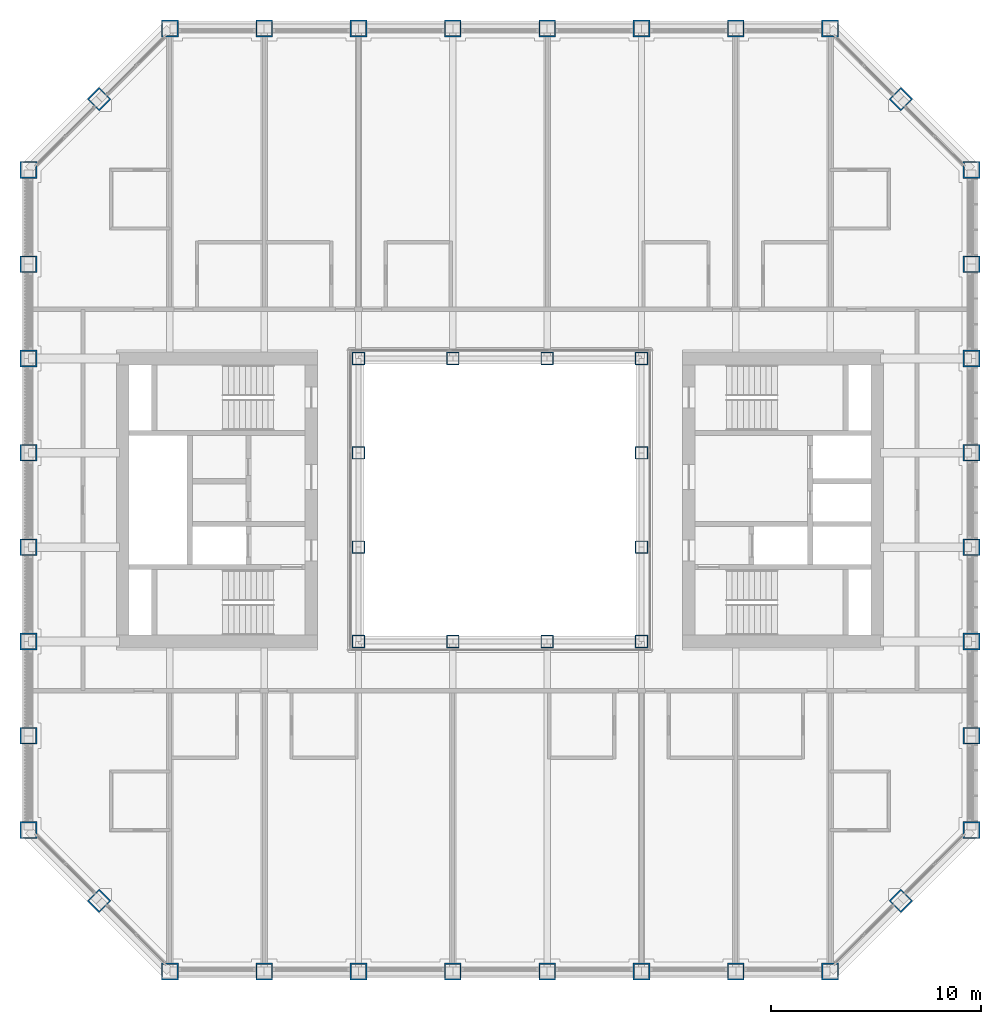
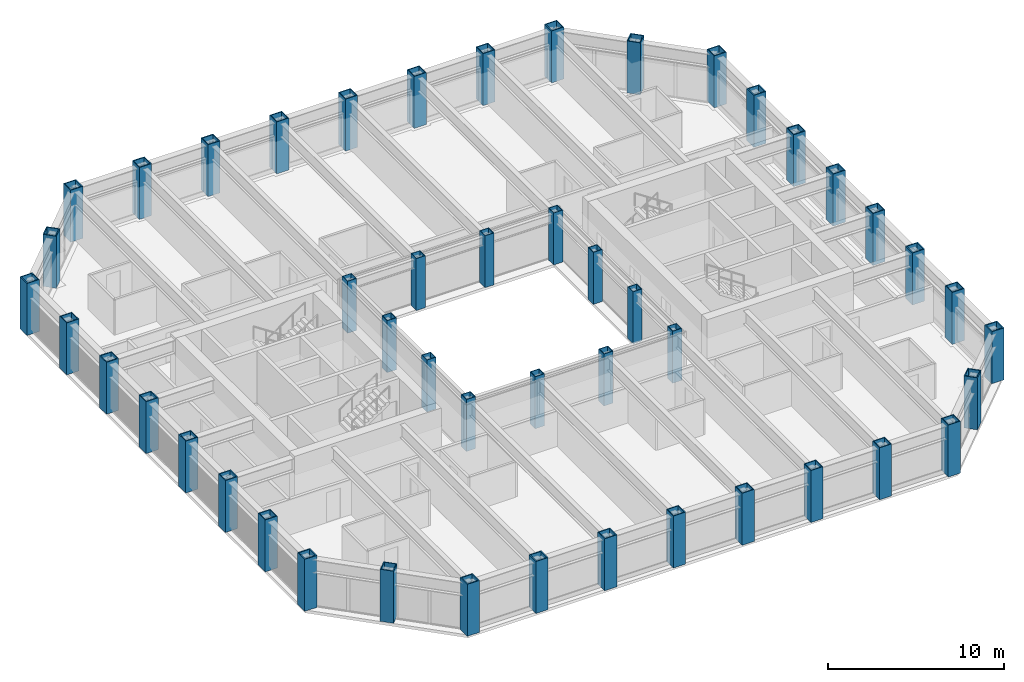
# One storey, part 1 of 17: 48 columns.
"""IFC4 building model written with IfcOpenShell, lengths in metres."""

from ifc_helpers import new_model, si_unit, direction, frame, origin, origin_2d, place, context, subcontext, project, spatial, hollow_rectangle, extrude, material, material_profile, profile_set, type_object, element, save


model = new_model("IFC4")

# Units and contexts
model_context = context("Model", 3, precision=1e-05, world=origin(), true_north=direction((0.0, 1.0)))
body_context = subcontext(model_context, "Body", "Model", "MODEL_VIEW")
ifc_project = project(units=[si_unit("LENGTHUNIT", "METRE"), si_unit("AREAUNIT", "SQUARE_METRE"), si_unit("VOLUMEUNIT", "CUBIC_METRE"), si_unit("PLANEANGLEUNIT", "RADIAN"), si_unit("MASSUNIT", "GRAM", prefix="KILO")], contexts=[model_context])

# Site, building, storey
site_placement = place(None, origin())
site = spatial("IfcSite", under=ifc_project, at=site_placement, CompositionType="ELEMENT")
building_placement = place(site_placement, origin())
building = spatial("IfcBuilding", under=site, at=building_placement, Name="Msasa Ring Tower", CompositionType="ELEMENT")
storey_placement = place(building_placement, frame((0.0, 0.0, 129.199951171875)))
storey = spatial("IfcBuildingStorey", under=building, at=storey_placement, Name="L33", CompositionType="ELEMENT", Elevation=129.199951171875)

# Columns
ifc_material_1 = material(Name="Steel S355", Category="steel")
ifc_material_profile_1 = material_profile(ifc_material_1, hollow_rectangle(XDim=0.60009765625, YDim=0.60009765625, WallThickness=0.0400390625, at=origin_2d()), Name="BOX 600x600x40")
ifc_profile_set_1 = profile_set([ifc_material_profile_1], Name="Steel S355")
column_type_1 = type_object("IfcColumnType", Name="IC4 BOX 600x600x40", PredefinedType="COLUMN", material=ifc_profile_set_1)
for number, where, z_axis, x_axis, name in (
    (1, (-6.75, -6.75, 0.0), (0.0, 0.0, 1.0), (1.0, 0.0, 0.0), "Inner ring column IR-6.75-6.75 L33"),
    (2, (-6.75, -2.25, 0.0), (0.0, 0.0, 1.0), (1.0, 0.0, 0.0), "Inner ring column IR-6.75-2.25 L33"),
    (3, (-6.75, 2.25, 0.0), (0.0, 0.0, 1.0), (1.0, 0.0, 0.0), "Inner ring column IR-6.75+2.25 L33"),
    (4, (-6.75, 6.75, 0.0), (0.0, 0.0, 1.0), (1.0, 0.0, 0.0), "Inner ring column IR-6.75+6.75 L33"),
    (5, (-2.25, -6.75, 0.0), (0.0, 0.0, 1.0), (1.0, 0.0, 0.0), "Inner ring column IR-2.25-6.75 L33"),
    (6, (-2.25, 6.75, 0.0), (0.0, 0.0, 1.0), (1.0, 0.0, 0.0), "Inner ring column IR-2.25+6.75 L33"),
    (7, (2.25, -6.75, 0.0), (0.0, 0.0, 1.0), (1.0, 0.0, 0.0), "Inner ring column IR+2.25-6.75 L33"),
    (8, (2.25, 6.75, 0.0), (0.0, 0.0, 1.0), (1.0, 0.0, 0.0), "Inner ring column IR+2.25+6.75 L33"),
    (9, (6.75, -6.75, 0.0), (0.0, 0.0, 1.0), (1.0, 0.0, 0.0), "Inner ring column IR+6.75-6.75 L33"),
    (10, (6.75, -2.25, 0.0), (0.0, 0.0, 1.0), (1.0, 0.0, 0.0), "Inner ring column IR+6.75-2.25 L33"),
    (11, (6.75, 2.25, 0.0), (0.0, 0.0, 1.0), (1.0, 0.0, 0.0), "Inner ring column IR+6.75+2.25 L33"),
    (12, (6.75, 6.75, 0.0), (0.0, 0.0, 1.0), (1.0, 0.0, 0.0), "Inner ring column IR+6.75+6.75 L33"),
):
    element("IfcColumn", number, at=place(storey_placement, frame(where, z_axis=z_axis, x_axis=x_axis)), inside=storey, type_object=column_type_1, Name=name, PredefinedType="COLUMN", context=body_context, shape_type="SweptSolid", body=[
        extrude(hollow_rectangle(XDim=0.60009765625, YDim=0.60009765625, WallThickness=0.0400390625, at=origin_2d()), origin(), (0.0, 0.0, 1.0), 3.60009765625),
    ])
ifc_material_2 = material(Name="Steel S355", Category="steel")
ifc_material_profile_2 = material_profile(ifc_material_2, hollow_rectangle(XDim=0.800048828125, YDim=0.800048828125, WallThickness=0.06005859375, at=origin_2d()), Name="BOX 800x800x60")
ifc_profile_set_2 = profile_set([ifc_material_profile_2], Name="Steel S355")
column_type_2 = type_object("IfcColumnType", Name="TC3 BOX 800x800x60", PredefinedType="COLUMN", material=ifc_profile_set_2)
for number, where, z_axis, x_axis, name in (
    (13, (-15.75, -22.5, 0.0), (0.0, 0.0, 1.0), (0.0, 1.0, 0.0), "Tube column S-15.75 L33"),
    (14, (-15.75, 22.5, 0.0), (0.0, 0.0, 1.0), (0.0, 1.0, 0.0), "Tube column N-15.75 L33"),
    (15, (22.5, -15.75, 0.0), (0.0, 0.0, 1.0), (1.0, 0.0, 0.0), "Tube column E-15.75 L33"),
    (16, (-22.5, -15.75, 0.0), (0.0, 0.0, 1.0), (1.0, 0.0, 0.0), "Tube column W-15.75 L33"),
    (17, (-11.25, -22.5, 0.0), (0.0, 0.0, 1.0), (0.0, 1.0, 0.0), "Tube column S-11.25 L33"),
    (18, (-11.25, 22.5, 0.0), (0.0, 0.0, 1.0), (0.0, 1.0, 0.0), "Tube column N-11.25 L33"),
    (19, (22.5, -11.25, 0.0), (0.0, 0.0, 1.0), (1.0, 0.0, 0.0), "Tube column E-11.25 L33"),
    (20, (-22.5, -11.25, 0.0), (0.0, 0.0, 1.0), (1.0, 0.0, 0.0), "Tube column W-11.25 L33"),
    (21, (-6.75, -22.5, 0.0), (0.0, 0.0, 1.0), (0.0, 1.0, 0.0), "Tube column S-6.75 L33"),
    (22, (-6.75, 22.5, 0.0), (0.0, 0.0, 1.0), (0.0, 1.0, 0.0), "Tube column N-6.75 L33"),
    (23, (22.5, -6.75, 0.0), (0.0, 0.0, 1.0), (1.0, 0.0, 0.0), "Tube column E-6.75 L33"),
    (24, (-22.5, -6.75, 0.0), (0.0, 0.0, 1.0), (1.0, 0.0, 0.0), "Tube column W-6.75 L33"),
    (25, (-2.25, -22.5, 0.0), (0.0, 0.0, 1.0), (0.0, 1.0, 0.0), "Tube column S-2.25 L33"),
    (26, (-2.25, 22.5, 0.0), (0.0, 0.0, 1.0), (0.0, 1.0, 0.0), "Tube column N-2.25 L33"),
    (27, (22.5, -2.25, 0.0), (0.0, 0.0, 1.0), (1.0, 0.0, 0.0), "Tube column E-2.25 L33"),
    (28, (-22.5, -2.25, 0.0), (0.0, 0.0, 1.0), (1.0, 0.0, 0.0), "Tube column W-2.25 L33"),
    (29, (2.25, -22.5, 0.0), (0.0, 0.0, 1.0), (0.0, 1.0, 0.0), "Tube column S+2.25 L33"),
    (30, (2.25, 22.5, 0.0), (0.0, 0.0, 1.0), (0.0, 1.0, 0.0), "Tube column N+2.25 L33"),
    (31, (22.5, 2.25, 0.0), (0.0, 0.0, 1.0), (1.0, 0.0, 0.0), "Tube column E+2.25 L33"),
    (32, (-22.5, 2.25, 0.0), (0.0, 0.0, 1.0), (1.0, 0.0, 0.0), "Tube column W+2.25 L33"),
    (33, (6.75, -22.5, 0.0), (0.0, 0.0, 1.0), (0.0, 1.0, 0.0), "Tube column S+6.75 L33"),
    (34, (6.75, 22.5, 0.0), (0.0, 0.0, 1.0), (0.0, 1.0, 0.0), "Tube column N+6.75 L33"),
    (35, (22.5, 6.75, 0.0), (0.0, 0.0, 1.0), (1.0, 0.0, 0.0), "Tube column E+6.75 L33"),
    (36, (-22.5, 6.75, 0.0), (0.0, 0.0, 1.0), (1.0, 0.0, 0.0), "Tube column W+6.75 L33"),
    (37, (11.25, -22.5, 0.0), (0.0, 0.0, 1.0), (0.0, 1.0, 0.0), "Tube column S+11.25 L33"),
    (38, (11.25, 22.5, 0.0), (0.0, 0.0, 1.0), (0.0, 1.0, 0.0), "Tube column N+11.25 L33"),
    (39, (22.5, 11.25, 0.0), (0.0, 0.0, 1.0), (1.0, 0.0, 0.0), "Tube column E+11.25 L33"),
    (40, (-22.5, 11.25, 0.0), (0.0, 0.0, 1.0), (1.0, 0.0, 0.0), "Tube column W+11.25 L33"),
    (41, (15.75, -22.5, 0.0), (0.0, 0.0, 1.0), (0.0, 1.0, 0.0), "Tube column S+15.75 L33"),
    (42, (15.75, 22.5, 0.0), (0.0, 0.0, 1.0), (0.0, 1.0, 0.0), "Tube column N+15.75 L33"),
    (43, (22.5, 15.75, 0.0), (0.0, 0.0, 1.0), (1.0, 0.0, 0.0), "Tube column E+15.75 L33"),
    (44, (-22.5, 15.75, 0.0), (0.0, 0.0, 1.0), (1.0, 0.0, 0.0), "Tube column W+15.75 L33"),
    (45, (19.125, -19.125, 0.0), (0.0, 0.0, 1.0), (0.707106781187, -0.707106781187, 0.0), "Tube column SE L33"),
    (46, (19.125, 19.125, 0.0), (0.0, 0.0, 1.0), (0.707106781187, 0.707106781187, 0.0), "Tube column NE L33"),
    (47, (-19.125, 19.125, 0.0), (0.0, 0.0, 1.0), (0.707106781187, -0.707106781187, 0.0), "Tube column NW L33"),
    (48, (-19.125, -19.125, 0.0), (0.0, 0.0, 1.0), (0.707106781187, 0.707106781187, 0.0), "Tube column SW L33"),
):
    element("IfcColumn", number, at=place(storey_placement, frame(where, z_axis=z_axis, x_axis=x_axis)), inside=storey, type_object=column_type_2, Name=name, PredefinedType="COLUMN", context=body_context, shape_type="SweptSolid", body=[
        extrude(hollow_rectangle(XDim=0.800048828125, YDim=0.800048828125, WallThickness=0.06005859375, at=origin_2d()), origin(), (0.0, 0.0, 1.0), 3.60009765625),
    ])

save(model, "model.ifc")
